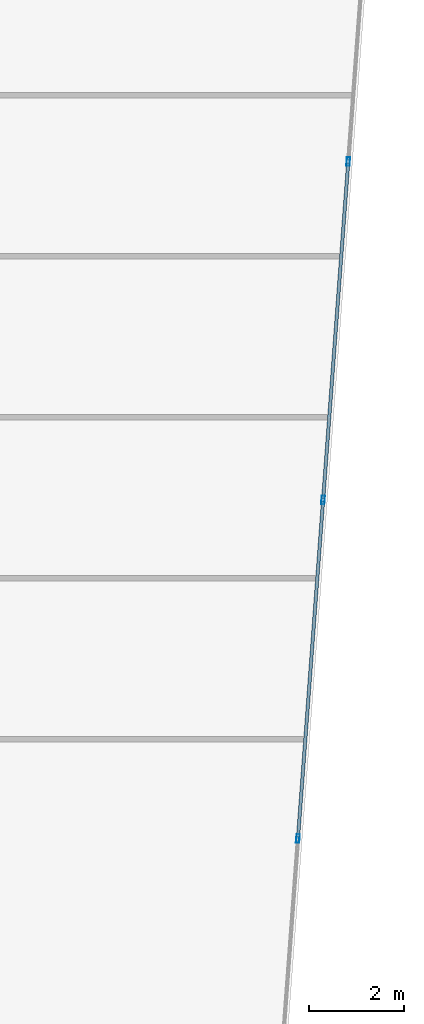
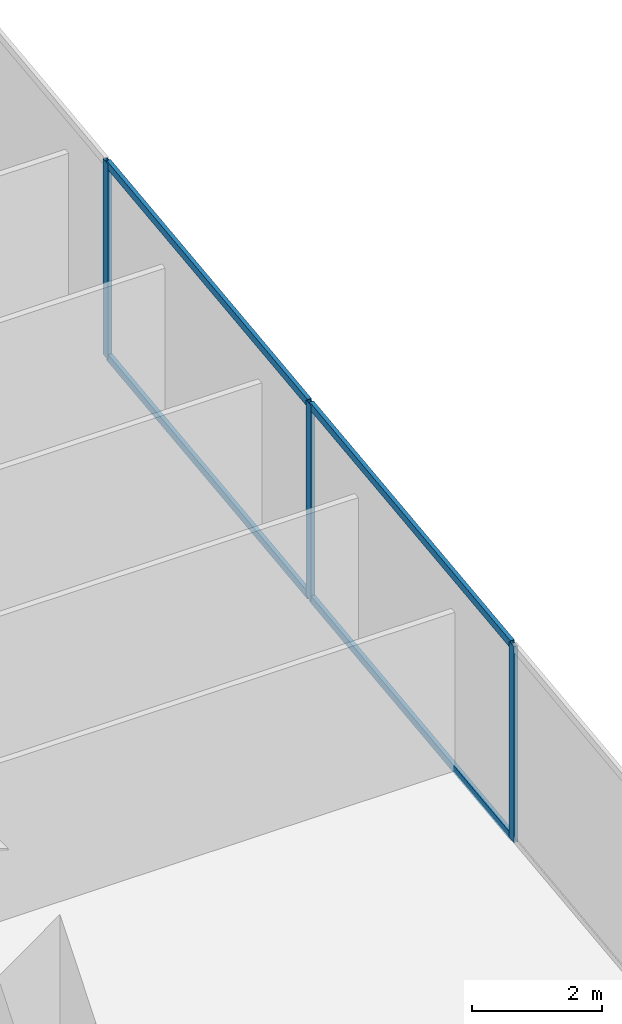
# One storey, part 16 of 30: 7 members, 1 element without a shape of its own.
"""IFC4 building model written with IfcOpenShell, lengths in metres."""

from ifc_helpers import new_model, si_unit, direction, frame, origin, origin_2d, place, context, subcontext, project, spatial, hollow_rectangle, extrude, source, transform, mapped, material, material_profile, profile_set, type_object, type_shapes, element, aggregate, save


model = new_model("IFC4")

# Units and contexts
model_context = context("Model", 3, precision=1e-05, world=origin(), true_north=direction((0.0, 1.0)))
body_context = subcontext(model_context, "Body", "Model", "MODEL_VIEW")
ifc_project = project(units=[si_unit("LENGTHUNIT", "METRE"), si_unit("AREAUNIT", "SQUARE_METRE"), si_unit("VOLUMEUNIT", "CUBIC_METRE"), si_unit("PLANEANGLEUNIT", "RADIAN"), si_unit("MASSUNIT", "GRAM", prefix="KILO")], contexts=[model_context])

# Site, building, storey
site_placement = place(None, origin())
site = spatial("IfcSite", under=ifc_project, at=site_placement, CompositionType="ELEMENT")
building_placement = place(site_placement, origin())
building = spatial("IfcBuilding", under=site, at=building_placement, Name="Krantzveldt Concourse Tower", CompositionType="ELEMENT")
storey_placement = place(building_placement, frame((0.0, 0.0, 48.699951171875)))
storey = spatial("IfcBuildingStorey", under=building, at=storey_placement, Name="L11", CompositionType="ELEMENT", Elevation=48.699951171875)

# Curtain wall, members
ifc_material = material(Name="Anodised aluminium 6063-T6", Category="aluminium")
curtain_wall_type = type_object("IfcCurtainWallType", Name="CW2", PredefinedType="USERDEFINED", material=ifc_material)
curtain_wall_placement = place(storey_placement, origin())
curtain_wall = element("IfcCurtainWall", 1, at=curtain_wall_placement, inside=storey, type_object=curtain_wall_type, Name="CW-L11-F07", ObjectType="UNITISED CURTAIN WALL", PredefinedType="USERDEFINED")
ifc_material_profile_1 = material_profile(ifc_material, hollow_rectangle(XDim=0.070068359375, YDim=0.139892578125, WallThickness=0.0048828125, at=origin_2d()), Name="Anodised aluminium 6063-T6", Category="aluminium")
ifc_profile_set_1 = profile_set([ifc_material_profile_1], Name="Anodised aluminium 6063-T6 - ALU-TRAN 140x70x5")
member_type_1 = type_object("IfcMemberType", Name="CW-TRN-150", PredefinedType="USERDEFINED", material=ifc_profile_set_1)
shared_shape_1 = source(origin(), body_context, "Body", "SweptSolid", [
    extrude(hollow_rectangle(XDim=0.070068359375, YDim=0.139892578125, WallThickness=0.0048828125, at=origin_2d()), origin(), (0.0, 0.0, 1.0), 7.0966796875),
])
type_shapes(member_type_1, [shared_shape_1])
member_1_placement = place(storey_placement, frame((60.31298828125, 17.741943359375, 0.03515625), z_axis=(0.074102314311, 0.997250644028, 0.0), x_axis=(-0.997250644028, 0.074102314311, 0.0)))
member_1 = element("IfcMember", 2, at=member_1_placement, type_object=member_type_1, Name="CW-Z12 transom 3.1", ObjectType="TRANSOM", PredefinedType="USERDEFINED", context=body_context, shape_type="MappedRepresentation", body=[
    mapped(shared_shape_1, transform((0.0, 0.0, 0.0), x_axis=(1.0, 0.0, 0.0), y_axis=(0.0, 1.0, 0.0), z_axis=(0.0, 0.0, 1.0), scale=1.0)),
])
member_2_placement = place(storey_placement, frame((60.31298828125, 17.741943359375, 3.635009765625), z_axis=(0.074102314311, 0.997250644028, 0.0), x_axis=(-0.997250644028, 0.074102314311, 0.0)))
member_2 = element("IfcMember", 3, at=member_2_placement, type_object=member_type_1, Name="CW-Z12 transom 3.2", ObjectType="TRANSOM", PredefinedType="USERDEFINED", context=body_context, shape_type="MappedRepresentation", body=[
    mapped(shared_shape_1, transform((0.0, 0.0, 0.0), x_axis=(1.0, 0.0, 0.0), y_axis=(0.0, 1.0, 0.0), z_axis=(0.0, 0.0, 1.0), scale=1.0)),
])
member_3_placement = place(storey_placement, frame((60.843994140625, 24.888916015625, 0.03515625), z_axis=(0.074136527461, 0.997248101174, 0.0), x_axis=(-0.997248101174, 0.074136527461, 0.0)))
member_3 = element("IfcMember", 4, at=member_3_placement, type_object=member_type_1, Name="CW-Z12 transom 4.1", ObjectType="TRANSOM", PredefinedType="USERDEFINED", context=body_context, shape_type="MappedRepresentation", body=[
    mapped(shared_shape_1, transform((0.0, 0.0, 0.0), x_axis=(1.0, 0.0, 0.0), y_axis=(0.0, 1.0, 0.0), z_axis=(0.0, 0.0, 1.0), scale=1.0)),
])
member_4_placement = place(storey_placement, frame((60.843994140625, 24.888916015625, 3.635009765625), z_axis=(0.074136527461, 0.997248101174, 0.0), x_axis=(-0.997248101174, 0.074136527461, 0.0)))
member_4 = element("IfcMember", 5, at=member_4_placement, type_object=member_type_1, Name="CW-Z12 transom 4.2", ObjectType="TRANSOM", PredefinedType="USERDEFINED", context=body_context, shape_type="MappedRepresentation", body=[
    mapped(shared_shape_1, transform((0.0, 0.0, 0.0), x_axis=(1.0, 0.0, 0.0), y_axis=(0.0, 1.0, 0.0), z_axis=(0.0, 0.0, 1.0), scale=1.0)),
])
ifc_material_profile_2 = material_profile(ifc_material, hollow_rectangle(XDim=0.070068359375, YDim=0.179931640625, WallThickness=0.0048828125, at=origin_2d()), Name="Anodised aluminium 6063-T6", Category="aluminium")
ifc_profile_set_2 = profile_set([ifc_material_profile_2], Name="Anodised aluminium 6063-T6 - ALU-MULL 180x70x5")
member_type_2 = type_object("IfcMemberType", Name="CW-MUL-180", PredefinedType="MULLION", material=ifc_profile_set_2)
shared_shape_2 = source(origin(), body_context, "Body", "SweptSolid", [
    extrude(hollow_rectangle(XDim=0.070068359375, YDim=0.179931640625, WallThickness=0.0048828125, at=origin_2d()), origin(), (0.0, 0.0, 1.0), 3.670166015625),
])
type_shapes(member_type_2, [shared_shape_2])
member_5_placement = place(storey_placement, frame((60.310302734375, 17.70703125, 0.0), z_axis=(0.0, 0.0, 1.0), x_axis=(-0.997250176902, 0.07410860051, 0.0)))
member_5 = element("IfcMember", 6, at=member_5_placement, type_object=member_type_2, Name="CW-Z12 mullion 3", PredefinedType="MULLION", context=body_context, shape_type="MappedRepresentation", body=[
    mapped(shared_shape_2, transform((0.0, 0.0, 0.0), x_axis=(1.0, 0.0, 0.0), y_axis=(0.0, 1.0, 0.0), z_axis=(0.0, 0.0, 1.0), scale=1.0)),
])
member_6_placement = place(storey_placement, frame((60.841552734375, 24.85400390625, 0.0), z_axis=(0.0, 0.0, 1.0), x_axis=(-0.997250176902, 0.07410860051, 0.0)))
member_6 = element("IfcMember", 7, at=member_6_placement, type_object=member_type_2, Name="CW-Z12 mullion 4", PredefinedType="MULLION", context=body_context, shape_type="MappedRepresentation", body=[
    mapped(shared_shape_2, transform((0.0, 0.0, 0.0), x_axis=(1.0, 0.0, 0.0), y_axis=(0.0, 1.0, 0.0), z_axis=(0.0, 0.0, 1.0), scale=1.0)),
])
member_7_placement = place(storey_placement, frame((61.37255859375, 32.0009765625, 0.0), z_axis=(0.0, 0.0, 1.0), x_axis=(-0.997250176902, 0.07410860051, 0.0)))
member_7 = element("IfcMember", 8, at=member_7_placement, type_object=member_type_2, Name="CW-Z12 mullion 5", PredefinedType="MULLION", context=body_context, shape_type="MappedRepresentation", body=[
    mapped(shared_shape_2, transform((0.0, 0.0, 0.0), x_axis=(1.0, 0.0, 0.0), y_axis=(0.0, 1.0, 0.0), z_axis=(0.0, 0.0, 1.0), scale=1.0)),
])
aggregate(curtain_wall, [member_5, member_6, member_7, member_1, member_2, member_3, member_4])

save(model, "model.ifc")
